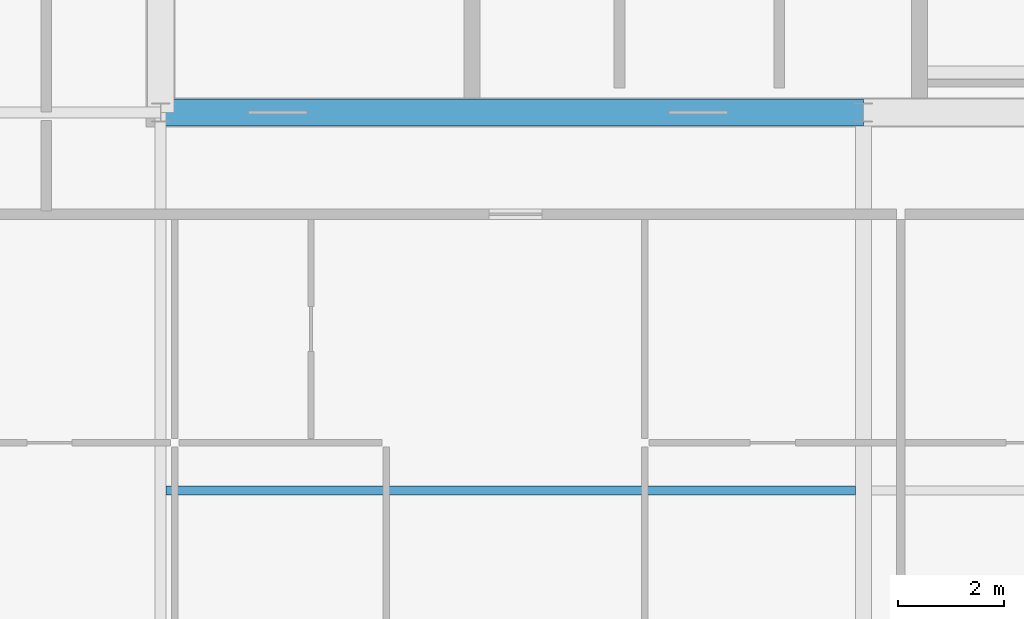
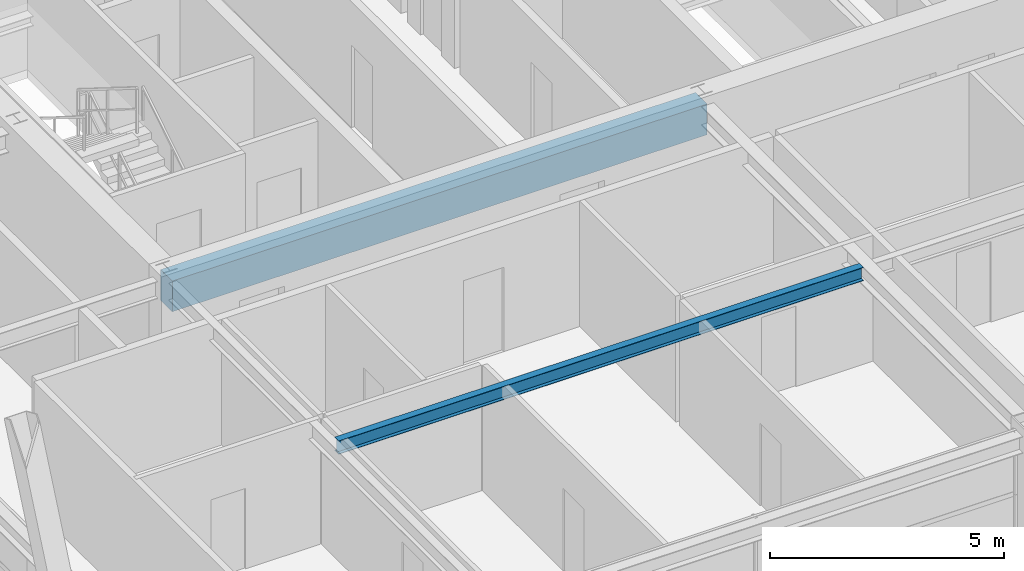
# One storey, part 10 of 37: 2 beams.
"""IFC4 building model written with IfcOpenShell, lengths in metres."""

from ifc_helpers import new_model, si_unit, direction, frame, origin, origin_2d, place, context, subcontext, project, spatial, rectangle, i_section, extrude, source, transform, mapped, material, material_profile, profile_set, type_object, element, save


model = new_model("IFC4")

# Units and contexts
model_context = context("Model", 3, precision=1e-05, world=origin(), true_north=direction((0.0, 1.0)))
body_context = subcontext(model_context, "Body", "Model", "MODEL_VIEW")
ifc_project = project(units=[si_unit("LENGTHUNIT", "METRE"), si_unit("AREAUNIT", "SQUARE_METRE"), si_unit("VOLUMEUNIT", "CUBIC_METRE"), si_unit("PLANEANGLEUNIT", "RADIAN"), si_unit("MASSUNIT", "GRAM", prefix="KILO"), si_unit("THERMODYNAMICTEMPERATUREUNIT", "KELVIN"), si_unit("POWERUNIT", "WATT")], contexts=[model_context])

# Site, building, storey
site_placement = place(None, origin())
site = spatial("IfcSite", under=ifc_project, at=site_placement, CompositionType="ELEMENT")
building_placement = place(site_placement, origin())
building = spatial("IfcBuilding", under=site, at=building_placement, Name="Yuzanri Waterfront Tower", CompositionType="ELEMENT")
storey_placement = place(building_placement, frame((0.0, 0.0, 278.60009765625)))
storey = spatial("IfcBuildingStorey", under=building, at=storey_placement, Name="L74", CompositionType="ELEMENT", Elevation=278.60009765625)

# Beams
ifc_material_1 = material(Name="Concrete C50", Category="concrete")
ifc_material_profile_1 = material_profile(ifc_material_1, rectangle(XDim=0.5, YDim=0.800048828125, at=origin_2d()), Name="RC 500x800")
ifc_profile_set_1 = profile_set([ifc_material_profile_1], Name="Concrete C50")
beam_type_1 = type_object("IfcBeamType", Name="Core Coupling Lintel Concrete C50 500x800", PredefinedType="LINTEL", material=ifc_profile_set_1)
shared_shape_1 = source(origin(), body_context, "Body", "SweptSolid", [
    extrude(rectangle(XDim=0.5, YDim=0.800048828125, at=origin_2d()), origin(), (0.0, 0.0, 1.0), 13.199951171875),
])
beam_1_placement = place(storey_placement, frame((23.800048828125, 19.39990234375, 2.8798828125), z_axis=(1.0, 0.0, 0.0), x_axis=(0.0, 1.0, 0.0)))
element("IfcBeam", 1, at=beam_1_placement, inside=storey, type_object=beam_type_1, Name="L74 Core Tie Beam CS1", PredefinedType="LINTEL", context=body_context, shape_type="MappedRepresentation", body=[
    mapped(shared_shape_1, transform((0.0, 0.0, 0.0), scale=1.0)),
])
ifc_material_2 = material(Name="Steel Q355B", Category="steel")
ifc_material_profile_2 = material_profile(ifc_material_2, i_section(OverallWidth=0.175048828125, OverallDepth=0.35009765625, WebThickness=0.007080078125, FlangeThickness=0.010986328125, at=origin_2d()), Name="HN 350x175x7x11")
ifc_profile_set_2 = profile_set([ifc_material_profile_2], Name="Steel Q355B")
beam_type_2 = type_object("IfcBeamType", Name="Floor Joist Q355B HN 350x175", PredefinedType="JOIST", material=ifc_profile_set_2)
shared_shape_2 = source(origin(), body_context, "Body", "SweptSolid", [
    extrude(i_section(OverallWidth=0.175048828125, OverallDepth=0.35009765625, WebThickness=0.007080078125, FlangeThickness=0.010986328125, at=origin_2d()), origin(), (0.0, 0.0, 1.0), 12.9501953125),
])
beam_2_placement = place(storey_placement, frame((23.89990234375, 12.300048828125, 3.10498046875), z_axis=(1.0, 0.0, 0.0), x_axis=(0.0, 1.0, 0.0)))
element("IfcBeam", 2, at=beam_2_placement, inside=storey, type_object=beam_type_2, Name="L74 South Bay Joist W", PredefinedType="JOIST", context=body_context, shape_type="MappedRepresentation", body=[
    mapped(shared_shape_2, transform((0.0, 0.0, 0.0), scale=1.0)),
])

save(model, "model.ifc")
